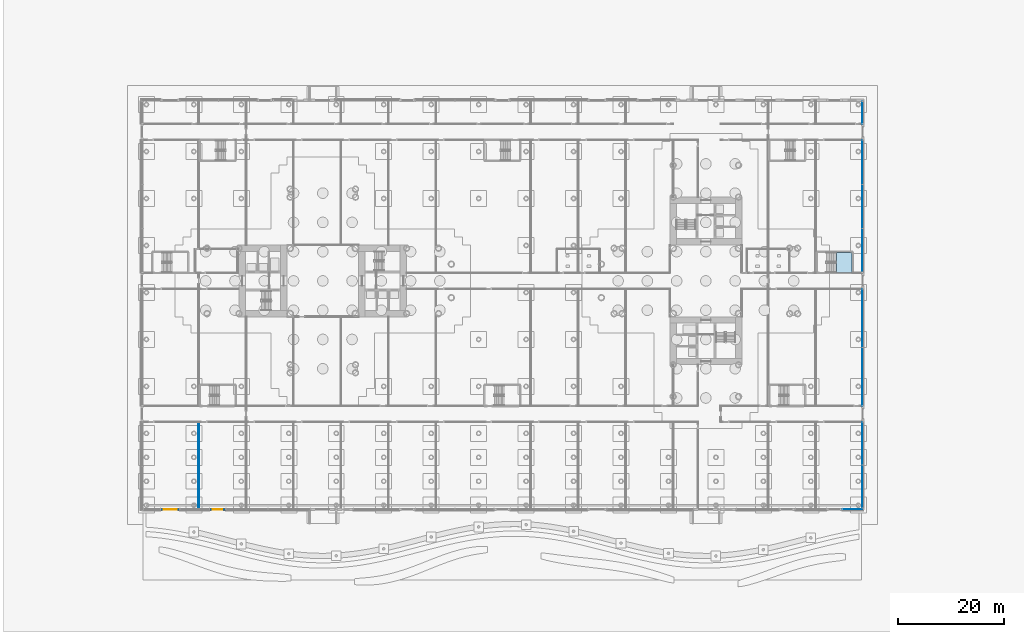
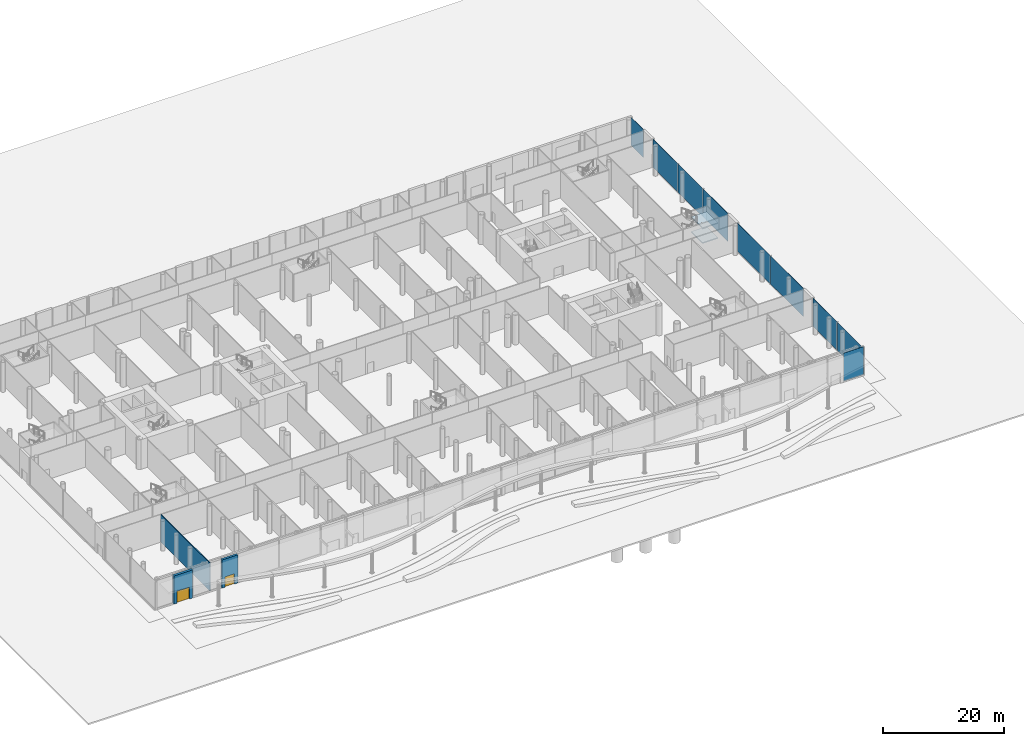
# One storey, part 27 of 75: 9 plates, 3 walls, 2 doors, 2 slabs, 2 openings, 6 elements without a shape of their own.
"""IFC4 building model written with IfcOpenShell, lengths in metres."""

import ifcopenshell
import ifcopenshell.guid

model = None  # the IFC model being written
_history = None  # IfcOwnerHistory: only IFC2X3 demands one
_inside = {}  # id of a spatial element -> (the spatial element, [elements in it])
_under = {}  # id of a project, library or spatial element -> (it, [spatial elements below it])
_declared = {}  # id of a project -> (the project, [libraries it declares])
_typed = {}  # id of a type object -> (the type object, [elements of that type])
_made_of = {}  # id of a material, layer set ... -> (it, [elements and type objects made of it])


def new_model(schema):
    """Start an empty IFC model of exactly this schema.

    Asked for "IFC4X3", IfcOpenShell would pick the latest addendum, in which some entities
    have other attributes; the version numbers below select the first issue.
    IFC2X3 requires an IfcOwnerHistory on every rooted entity: one is made here for all.
    """
    global model, _history
    if schema == "IFC4X3":
        model = ifcopenshell.file(schema_version=(4, 3, 0, 0))
    else:
        model = ifcopenshell.file(schema=schema)
    _inside.clear()
    _under.clear()
    _declared.clear()
    _typed.clear()
    _made_of.clear()
    _history = None
    if model.schema == "IFC2X3":
        org = make("IfcOrganization", Name="unknown")
        user = make(
            "IfcPersonAndOrganization",
            ThePerson=make("IfcPerson", FamilyName="unknown"),
            TheOrganization=org,
        )
        app = make(
            "IfcApplication",
            ApplicationDeveloper=org,
            Version="unknown",
            ApplicationFullName="unknown",
            ApplicationIdentifier="unknown",
        )
        _history = make(
            "IfcOwnerHistory",
            OwningUser=user,
            OwningApplication=app,
            ChangeAction="ADDED",
            CreationDate=0,
        )
    return model


def make(cls, **values):
    """One entity of the class cls with the attributes given. An attribute that is None is left unset."""
    return model.create_entity(
        cls, **{name: value for name, value in values.items() if value is not None}
    )


def rooted(cls, **values):
    """An entity with a GlobalId (a new one), such as an element, a storey or a relation."""
    return make(cls, GlobalId=ifcopenshell.guid.new(), OwnerHistory=_history, **values)


def si_unit(unit_type, name, prefix=None):
    """IfcSIUnit, for example si_unit("LENGTHUNIT", "METRE", prefix="MILLI")."""
    return make("IfcSIUnit", UnitType=unit_type, Prefix=prefix, Name=name)


def assignment(units):
    """IfcUnitAssignment: the units of a project."""
    return None if units is None else make("IfcUnitAssignment", Units=units)


def point(xyz):
    """IfcCartesianPoint."""
    return None if xyz is None else make("IfcCartesianPoint", Coordinates=xyz)


def direction(xyz):
    """IfcDirection."""
    return None if xyz is None else make("IfcDirection", DirectionRatios=xyz)


def frame(location, z_axis=None, x_axis=None):
    """IfcAxis2Placement3D, a coordinate frame: its origin and axes. An axis left out is left unset."""
    return make(
        "IfcAxis2Placement3D",
        Location=point(location),
        Axis=direction(z_axis),
        RefDirection=direction(x_axis),
    )


def frame_2d(location, x_axis=None):
    """IfcAxis2Placement2D, a coordinate frame in the plane: its origin and x axis."""
    return make(
        "IfcAxis2Placement2D", Location=point(location), RefDirection=direction(x_axis)
    )


def origin():
    """The frame at (0, 0, 0) with its axes left unset."""
    return frame((0.0, 0.0, 0.0))


def origin_2d():
    """The frame at (0, 0) in the plane with its x axis left unset."""
    return frame_2d((0.0, 0.0))


def place(relative_to, where):
    """IfcLocalPlacement: puts the frame where relative to a parent placement (None: the world)."""
    return make(
        "IfcLocalPlacement", PlacementRelTo=relative_to, RelativePlacement=where
    )


def context(
    kind, dimensions, precision=None, world=None, true_north=None, identifier=None
):
    """IfcGeometricRepresentationContext, for example the 3D "Model" context."""
    return make(
        "IfcGeometricRepresentationContext",
        ContextIdentifier=identifier,
        ContextType=kind,
        CoordinateSpaceDimension=dimensions,
        Precision=precision,
        WorldCoordinateSystem=world,
        TrueNorth=true_north,
    )


def subcontext(parent, identifier, kind, view, scale=None):
    """IfcGeometricRepresentationSubContext, for example "Body" below "Model"."""
    return make(
        "IfcGeometricRepresentationSubContext",
        ContextIdentifier=identifier,
        ContextType=kind,
        ParentContext=parent,
        TargetScale=scale,
        TargetView=view,
    )


def project(units=None, contexts=None):
    """IfcProject with its units and contexts."""
    return rooted(
        "IfcProject",
        Name="project",
        RepresentationContexts=contexts,
        UnitsInContext=assignment(units),
    )


def spatial(cls, under=None, at=None, **own):
    """A site, building, storey or space (cls), placed at a placement, below another one or the project."""
    s = rooted(cls, ObjectPlacement=at, **own)
    if under is not None:
        _under.setdefault(under.id(), (under, []))[1].append(s)
    return s


def polyline(points):
    """IfcPolyline through the points."""
    return make("IfcPolyline", Points=[point(p) for p in points])


def profile(cls, at=None, kind="AREA", **sizes):
    """A parametric profile (cls). Its sizes go by their IFC names, for example OverallWidth=200.0."""
    return make(cls, ProfileType=kind, Position=at, **sizes)


def rectangle(**sizes):
    """IfcRectangleProfileDef."""
    return profile("IfcRectangleProfileDef", **sizes)


def outline(outer, holes=None, kind="AREA"):
    """IfcArbitraryClosedProfileDef: a profile drawn as a closed curve; with holes, ...WithVoids."""
    if holes is None:
        return make("IfcArbitraryClosedProfileDef", ProfileType=kind, OuterCurve=outer)
    return make(
        "IfcArbitraryProfileDefWithVoids",
        ProfileType=kind,
        OuterCurve=outer,
        InnerCurves=holes,
    )


def extrude(swept, where, along, depth):
    """IfcExtrudedAreaSolid: the profile swept, set in the frame where, extruded along a direction by depth."""
    return make(
        "IfcExtrudedAreaSolid",
        SweptArea=swept,
        Position=where,
        ExtrudedDirection=direction(along),
        Depth=depth,
    )


def shape(context_of_items, identifier, shape_type, items):
    """IfcShapeRepresentation: the items that make up one representation, for example the "Body"."""
    return make(
        "IfcShapeRepresentation",
        ContextOfItems=context_of_items,
        RepresentationIdentifier=identifier,
        RepresentationType=shape_type,
        Items=items,
    )


def material(Name=None, Category=None):
    """IfcMaterial."""
    return make("IfcMaterial", Name=Name, Category=Category)


def layer(
    of_material, thickness, ventilated=None, Name=None, Category=None, Priority=None
):
    """IfcMaterialLayer: one layer of a wall or slab, of a material (None: an air gap)."""
    return make(
        "IfcMaterialLayer",
        Material=of_material,
        LayerThickness=thickness,
        IsVentilated=ventilated,
        Name=Name,
        Category=Category,
        Priority=Priority,
    )


def layer_set(layers, Name=None):
    """IfcMaterialLayerSet."""
    return make("IfcMaterialLayerSet", MaterialLayers=layers, LayerSetName=Name)


def made_of(thing, what):
    """Note that an element or type object is made of a material, layer set ...; save() writes the relation."""
    if what is not None:
        _made_of.setdefault(what.id(), (what, []))[1].append(thing)
    return thing


def type_object(cls, material=None, **own):
    """A type object (cls), such as IfcWallType, which elements share."""
    return made_of(rooted(cls, **own), material)


def element(
    cls,
    number,
    at=None,
    inside=None,
    cuts=None,
    type_object=None,
    material=None,
    context=None,
    identifier="Body",
    shape_type=None,
    held_by="IfcProductDefinitionShape",
    body=None,
    shapes=None,
    **own,
):
    """One element of the class cls, such as IfcWall. Its Tag is "e" and its number.

    at: its placement. inside: the storey or other place that contains it. cuts: it is an
    opening in that element (IfcRelVoidsElement). A single representation is given by context,
    identifier, shape_type and body (its items); several are given by shapes. held_by: the class
    of the entity that holds the representations. save() writes the other relations.
    """
    e = rooted(cls, Tag="e%d" % number, ObjectPlacement=at, **own)
    if body is not None:
        shapes = [shape(context, identifier, shape_type, body)]
    if shapes is not None:
        e.Representation = make(held_by, Representations=shapes)
    if inside is not None:
        _inside.setdefault(inside.id(), (inside, []))[1].append(e)
    if cuts is not None:
        rooted(
            "IfcRelVoidsElement", RelatingBuildingElement=cuts, RelatedOpeningElement=e
        )
    if type_object is not None:
        _typed.setdefault(type_object.id(), (type_object, []))[1].append(e)
    return made_of(e, material)


def fill(opening, filler):
    """IfcRelFillsElement: the door or window that sits in an opening."""
    return rooted(
        "IfcRelFillsElement",
        RelatingOpeningElement=opening,
        RelatedBuildingElement=filler,
    )


def aggregate(whole, parts):
    """IfcRelAggregates: a whole, such as a stair, and the parts it consists of."""
    return rooted("IfcRelAggregates", RelatingObject=whole, RelatedObjects=parts)


def save(model, path):
    """Write the relations noted so far, then the file.

    IfcRelAggregates (storeys below a building ...), IfcRelContainedInSpatialStructure (elements
    in a storey), IfcRelDefinesByType, IfcRelAssociatesMaterial and IfcRelDeclares: one each for
    every whole, place, type object, material and project.
    """
    for whole, parts in _under.values():
        aggregate(whole, parts)
    for where, things in _inside.values():
        rooted(
            "IfcRelContainedInSpatialStructure",
            RelatedElements=things,
            RelatingStructure=where,
        )
    for kind, things in _typed.values():
        rooted("IfcRelDefinesByType", RelatedObjects=things, RelatingType=kind)
    for what, things in _made_of.values():
        rooted("IfcRelAssociatesMaterial", RelatedObjects=things, RelatingMaterial=what)
    for by, libraries in _declared.values():
        rooted("IfcRelDeclares", RelatingContext=by, RelatedDefinitions=libraries)
    model.write(path)


model = new_model("IFC4")

# Units and contexts
model_context = context("Model", 3, precision=1e-05, world=origin(), true_north=direction((0.0, 1.0)))
body_context = subcontext(model_context, "Body", "Model", "MODEL_VIEW")
ifc_project = project(units=[si_unit("LENGTHUNIT", "METRE"), si_unit("AREAUNIT", "SQUARE_METRE"), si_unit("VOLUMEUNIT", "CUBIC_METRE"), si_unit("PLANEANGLEUNIT", "RADIAN"), si_unit("MASSUNIT", "GRAM", prefix="KILO")], contexts=[model_context])

# Site, building, storey
site_placement = place(None, origin())
site = spatial("IfcSite", under=ifc_project, at=site_placement, CompositionType="ELEMENT")
building_placement = place(site_placement, origin())
building = spatial("IfcBuilding", under=site, at=building_placement, Name="Ipe Terrace Towers", CompositionType="ELEMENT")
storey_placement = place(building_placement, origin())
storey = spatial("IfcBuildingStorey", under=building, at=storey_placement, Name="L00", CompositionType="ELEMENT", Elevation=0.0)

# Stair, slabs
ifc_material_1 = material(Name="Concrete C30/37", Category="concrete")
stair_type = type_object("IfcStairType", Name="Protected exit stair", PredefinedType="HALF_TURN_STAIR", material=ifc_material_1)
stair_placement = place(storey_placement, origin())
stair = element("IfcStair", 1, at=stair_placement, inside=storey, type_object=stair_type, Name="L00 Podium exit stair PS8", PredefinedType="HALF_TURN_STAIR")
ifc_material_2 = material(Name="Concrete C30/37", Category="concrete")
ifc_layer_1 = layer(ifc_material_2, 0.199951171875)
ifc_layer_set_1 = layer_set([ifc_layer_1], Name="Exit stair landing 200")
slab_type = type_object("IfcSlabType", Name="Exit stair landing 200", PredefinedType="LANDING", material=ifc_layer_set_1)
slab_1_placement = place(storey_placement, frame((0.0, 0.0, 1.300048828125)))
slab_1 = element("IfcSlab", 2, at=slab_1_placement, type_object=slab_type, Name="PS8 landing 1", PredefinedType="LANDING", context=body_context, shape_type="SweptSolid", body=[
    extrude(outline(polyline([(60.510009765625, 1.60009765625), (63.489990234375, 1.60009765625), (63.489990234375, 5.35009765625), (60.510009765625, 5.35009765625), (60.510009765625, 1.60009765625)])), origin(), (0.0, 0.0, 1.0), 0.199951171875),
])
slab_2_placement = place(storey_placement, frame((0.0, 0.0, 4.300048828125)))
slab_2 = element("IfcSlab", 3, at=slab_2_placement, type_object=slab_type, Name="PS8 landing 3", PredefinedType="LANDING", context=body_context, shape_type="SweptSolid", body=[
    extrude(outline(polyline([(60.510009765625, 1.60009765625), (63.489990234375, 1.60009765625), (63.489990234375, 5.35009765625), (60.510009765625, 5.35009765625), (60.510009765625, 1.60009765625)])), origin(), (0.0, 0.0, 1.0), 0.199951171875),
])
aggregate(stair, [slab_1, slab_2])

# Curtain wall, plates
ifc_material_3 = material(Name="Aluminium alloy 6063-T6", Category="aluminium")
ifc_layer_2 = layer(ifc_material_3, 0.43994140625)
ifc_layer_set_2 = layer_set([ifc_layer_2], Name="PODIUM GLAZING CURTAIN WALL")
curtain_wall_type = type_object("IfcCurtainWallType", Name="PODIUM GLAZING CURTAIN WALL", PredefinedType="NOTDEFINED", material=ifc_layer_set_2)
curtain_wall_1_placement = place(storey_placement, origin())
curtain_wall_1 = element("IfcCurtainWall", 4, at=curtain_wall_1_placement, inside=storey, type_object=curtain_wall_type, Name="POD-CW-L00-00a curtain wall", PredefinedType="NOTDEFINED")
ifc_material_4 = material(Name="Glass, clear laminated", Category="glass")
ifc_layer_3 = layer(ifc_material_4, 0.035888671875)
ifc_layer_set_3 = layer_set([ifc_layer_3], Name="PODIUM GLAZING GLASS PANEL 36")
plate_type = type_object("IfcPlateType", Name="PODIUM GLAZING GLASS PANEL 36", PredefinedType="CURTAIN_PANEL", material=ifc_layer_set_3)
plate_1_placement = place(storey_placement, frame((65.39990234375, -38.66748046875, 0.0), z_axis=(0.0, 0.0, 1.0), x_axis=(0.0, 1.0, 0.0)))
plate_1 = element("IfcPlate", 5, at=plate_1_placement, type_object=plate_type, Name="POD-CW-L00-00a panel 1", PredefinedType="CURTAIN_PANEL", context=body_context, shape_type="SweptSolid", body=[
    extrude(rectangle(XDim=8.0048828125, YDim=0.035888671875, at=origin_2d()), origin(), (0.0, 0.0, 1.0), 5.699951171875),
])
plate_2_placement = place(storey_placement, frame((65.39990234375, -30.58251953125, 0.0), z_axis=(0.0, 0.0, 1.0), x_axis=(0.0, 1.0, 0.0)))
plate_2 = element("IfcPlate", 6, at=plate_2_placement, type_object=plate_type, Name="POD-CW-L00-00a panel 2", PredefinedType="CURTAIN_PANEL", context=body_context, shape_type="SweptSolid", body=[
    extrude(rectangle(XDim=8.0048828125, YDim=0.035888671875, at=origin_2d()), origin(), (0.0, 0.0, 1.0), 5.699951171875),
])
aggregate(curtain_wall_1, [plate_1, plate_2])

curtain_wall_2_placement = place(storey_placement, origin())
curtain_wall_2 = element("IfcCurtainWall", 7, at=curtain_wall_2_placement, inside=storey, type_object=curtain_wall_type, Name="POD-CW-L00-00c curtain wall", PredefinedType="NOTDEFINED")
plate_3_placement = place(storey_placement, frame((65.39990234375, -17.97998046875, 0.0), z_axis=(0.0, 0.0, 1.0), x_axis=(0.0, 1.0, 0.0)))
plate_3 = element("IfcPlate", 8, at=plate_3_placement, type_object=plate_type, Name="POD-CW-L00-00c panel 1", PredefinedType="CURTAIN_PANEL", context=body_context, shape_type="SweptSolid", body=[
    extrude(rectangle(XDim=10.8798828125, YDim=0.035888671875, at=origin_2d()), origin(), (0.0, 0.0, 1.0), 5.699951171875),
])
plate_4_placement = place(storey_placement, frame((65.39990234375, -7.02001953125, 0.0), z_axis=(0.0, 0.0, 1.0), x_axis=(0.0, 1.0, 0.0)))
plate_4 = element("IfcPlate", 9, at=plate_4_placement, type_object=plate_type, Name="POD-CW-L00-00c panel 2", PredefinedType="CURTAIN_PANEL", context=body_context, shape_type="SweptSolid", body=[
    extrude(rectangle(XDim=10.8798828125, YDim=0.035888671875, at=origin_2d()), origin(), (0.0, 0.0, 1.0), 5.699951171875),
])
aggregate(curtain_wall_2, [plate_3, plate_4])

curtain_wall_3_placement = place(storey_placement, origin())
curtain_wall_3 = element("IfcCurtainWall", 10, at=curtain_wall_3_placement, inside=storey, type_object=curtain_wall_type, Name="POD-CW-L00-00e curtain wall", PredefinedType="NOTDEFINED")
plate_5_placement = place(storey_placement, frame((65.39990234375, 5.693359375, 0.0), z_axis=(0.0, 0.0, 1.0), x_axis=(0.0, 1.0, 0.0)))
plate_5 = element("IfcPlate", 11, at=plate_5_placement, type_object=plate_type, Name="POD-CW-L00-00e panel 1", PredefinedType="CURTAIN_PANEL", context=body_context, shape_type="SweptSolid", body=[
    extrude(rectangle(XDim=8.2265625, YDim=0.035888671875, at=origin_2d()), origin(), (0.0, 0.0, 1.0), 5.699951171875),
])
plate_6_placement = place(storey_placement, frame((65.39990234375, 14.0, 0.0), z_axis=(0.0, 0.0, 1.0), x_axis=(0.0, 1.0, 0.0)))
plate_6 = element("IfcPlate", 12, at=plate_6_placement, type_object=plate_type, Name="POD-CW-L00-00e panel 2", PredefinedType="CURTAIN_PANEL", context=body_context, shape_type="SweptSolid", body=[
    extrude(rectangle(XDim=8.2265625, YDim=0.035888671875, at=origin_2d()), origin(), (0.0, 0.0, 1.0), 5.699951171875),
])
plate_7_placement = place(storey_placement, frame((65.39990234375, 22.306640625, 0.0), z_axis=(0.0, 0.0, 1.0), x_axis=(0.0, 1.0, 0.0)))
plate_7 = element("IfcPlate", 13, at=plate_7_placement, type_object=plate_type, Name="POD-CW-L00-00e panel 3", PredefinedType="CURTAIN_PANEL", context=body_context, shape_type="SweptSolid", body=[
    extrude(rectangle(XDim=8.2265625, YDim=0.035888671875, at=origin_2d()), origin(), (0.0, 0.0, 1.0), 5.699951171875),
])
aggregate(curtain_wall_3, [plate_5, plate_6, plate_7])

# Curtain wall, plate
curtain_wall_4_placement = place(storey_placement, origin())
curtain_wall_4 = element("IfcCurtainWall", 14, at=curtain_wall_4_placement, inside=storey, type_object=curtain_wall_type, Name="POD-CW-L00-00g curtain wall", PredefinedType="NOTDEFINED")
plate_8_placement = place(storey_placement, frame((65.39990234375, 31.625, 0.0), z_axis=(0.0, 0.0, 1.0), x_axis=(0.0, 1.0, 0.0)))
plate_8 = element("IfcPlate", 15, at=plate_8_placement, type_object=plate_type, Name="POD-CW-L00-00g panel 1", PredefinedType="CURTAIN_PANEL", context=body_context, shape_type="SweptSolid", body=[
    extrude(rectangle(XDim=4.090087890625, YDim=0.035888671875, at=origin_2d()), origin(), (0.0, 0.0, 1.0), 5.699951171875),
])
aggregate(curtain_wall_4, [plate_8])

curtain_wall_5_placement = place(storey_placement, origin())
curtain_wall_5 = element("IfcCurtainWall", 16, at=curtain_wall_5_placement, inside=storey, type_object=curtain_wall_type, Name="POD-CW-L00-03w curtain wall", PredefinedType="NOTDEFINED")
plate_9_placement = place(storey_placement, frame((63.68994140625, -42.89990234375, 0.0), z_axis=(0.0, 0.0, 1.0), x_axis=(1.0, 0.0, 0.0)))
plate_9 = element("IfcPlate", 17, at=plate_9_placement, type_object=plate_type, Name="POD-CW-L00-03w panel 1", PredefinedType="CURTAIN_PANEL", context=body_context, shape_type="SweptSolid", body=[
    extrude(rectangle(XDim=3.840087890625, YDim=0.035888671875, at=origin_2d()), origin(), (0.0, 0.0, 1.0), 5.699951171875),
])
aggregate(curtain_wall_5, [plate_9])

# Wall
ifc_material_5 = material(Name="Gypsum board partition", Category="plasterboard")
ifc_layer_4 = layer(ifc_material_5, 0.14990234375)
ifc_layer_set_4 = layer_set([ifc_layer_4], Name="Gypsum board partition 150 mm")
wall_type_1 = type_object("IfcWallType", Name="Gypsum board partition 150 mm", PredefinedType="PARTITIONING", material=ifc_layer_set_4)
wall_1_placement = place(storey_placement, frame((-59.330078125, -26.5, 0.0), z_axis=(0.0, 0.0, 1.0), x_axis=(0.0, -1.0, 0.0)))
element("IfcWall", 18, at=wall_1_placement, inside=storey, type_object=wall_type_1, Name="Gypsum board partition T1 L00 pd-r1-r4-w5", PredefinedType="PARTITIONING", context=body_context, shape_type="SweptSolid", body=[
    extrude(rectangle(XDim=16.35009765625, YDim=0.14990234375, at=frame_2d((8.175048828125, 0.0))), origin(), (0.0, 0.0, 1.0), 5.580078125),
])

# Wall, opening, door
ifc_material_6 = material(Name="Concrete C40/50 with buff precast cladding", Category="concrete")
ifc_layer_5 = layer(ifc_material_6, 0.43994140625)
ifc_layer_set_5 = layer_set([ifc_layer_5], Name="PODIUM CLADDING WALL 440")
wall_type_2 = type_object("IfcWallType", Name="PODIUM CLADDING WALL 440", PredefinedType="STANDARD", material=ifc_layer_set_5)
wall_2_placement = place(storey_placement, frame((-66.489990234375, -42.969970703125, 0.0), z_axis=(0.0, 0.0, 1.0), x_axis=(1.0, 0.0, 0.0)))
wall_2 = element("IfcWall", 19, at=wall_2_placement, inside=storey, type_object=wall_type_2, Name="POD-W-L00-03b wall", PredefinedType="STANDARD", context=body_context, shape_type="SweptSolid", body=[
    extrude(rectangle(XDim=3.60009765625, YDim=0.43994140625, at=frame_2d((1.800048828125, 0.0))), origin(), (0.0, 0.0, 1.0), 5.699951171875),
])
opening_1_placement = place(wall_2_placement, frame((0.60009765625, 0.0, 0.0)))
opening_1 = element("IfcOpeningElement", 20, at=opening_1_placement, cuts=wall_2, Name="Opening POD-D-L00-07", PredefinedType="OPENING", context=body_context, shape_type="SweptSolid", body=[
    extrude(rectangle(XDim=2.39990234375, YDim=2.39990234375, at=frame_2d((1.199951171875, 1.199951171875))), frame((0.0, 0.22998046875, 0.0), z_axis=(0.0, -1.0, 0.0), x_axis=(1.0, 0.0, 0.0)), (0.0, 0.0, 1.0), 0.4599609375),
])
ifc_material_7 = material(Name="Aluminium alloy 6063-T6 framed glazed door", Category="aluminium")
door_type_1 = type_object("IfcDoorType", Name="SHOPFRONT DOOR 2400 x 2400 DOUBLE", OperationType="DOUBLE_DOOR_DOUBLE_SWING", PredefinedType="DOOR", material=ifc_material_7)
door_1_placement = place(opening_1_placement, origin())
door_1 = element("IfcDoor", 21, at=door_1_placement, inside=storey, type_object=door_type_1, Name="DS2 shopfront door", OperationType="DOUBLE_DOOR_DOUBLE_SWING", OverallHeight=2.39990234375, OverallWidth=2.39990234375, PredefinedType="DOOR", context=body_context, shape_type="SweptSolid", body=[
    extrude(rectangle(XDim=2.39990234375, YDim=2.39990234375, at=frame_2d((1.199951171875, 1.199951171875))), frame((0.0, 0.02490234375, 0.0), z_axis=(0.0, -1.0, 0.0), x_axis=(1.0, 0.0, 0.0)), (0.0, 0.0, 1.0), 0.050048828125),
])
fill(opening_1, door_1)

wall_3_placement = place(storey_placement, frame((-57.27001953125, -42.969970703125, 0.0), z_axis=(0.0, 0.0, 1.0), x_axis=(1.0, 0.0, 0.0)))
wall_3 = element("IfcWall", 22, at=wall_3_placement, inside=storey, type_object=wall_type_2, Name="POD-W-L00-03d wall", PredefinedType="STANDARD", context=body_context, shape_type="SweptSolid", body=[
    extrude(rectangle(XDim=3.0, YDim=0.43994140625, at=frame_2d((1.5, 0.0))), origin(), (0.0, 0.0, 1.0), 5.699951171875),
])
opening_2_placement = place(wall_3_placement, frame((0.60009765625, 0.0, 0.0)))
opening_2 = element("IfcOpeningElement", 23, at=opening_2_placement, cuts=wall_3, Name="Opening POD-D-L00-02", PredefinedType="OPENING", context=body_context, shape_type="SweptSolid", body=[
    extrude(rectangle(XDim=1.800048828125, YDim=2.10009765625, at=frame_2d((0.89990234375, 1.050048828125))), frame((0.0, 0.22998046875, 0.0), z_axis=(0.0, -1.0, 0.0), x_axis=(1.0, 0.0, 0.0)), (0.0, 0.0, 1.0), 0.4599609375),
])
ifc_material_8 = material(Name="Aluminium alloy 6063-T6 framed glazed door", Category="aluminium")
door_type_2 = type_object("IfcDoorType", Name="STREET DOOR 1800 DOUBLE", OperationType="DOUBLE_DOOR_DOUBLE_SWING", PredefinedType="DOOR", material=ifc_material_8)
door_2_placement = place(opening_2_placement, origin())
door_2 = element("IfcDoor", 24, at=door_2_placement, inside=storey, type_object=door_type_2, Name="DS1 street door", OperationType="DOUBLE_DOOR_DOUBLE_SWING", OverallHeight=2.10009765625, OverallWidth=1.800048828125, PredefinedType="DOOR", context=body_context, shape_type="SweptSolid", body=[
    extrude(rectangle(XDim=1.800048828125, YDim=2.10009765625, at=frame_2d((0.89990234375, 1.050048828125))), frame((0.0, 0.02490234375, 0.0), z_axis=(0.0, -1.0, 0.0), x_axis=(1.0, 0.0, 0.0)), (0.0, 0.0, 1.0), 0.050048828125),
])
fill(opening_2, door_2)

save(model, "model.ifc")
